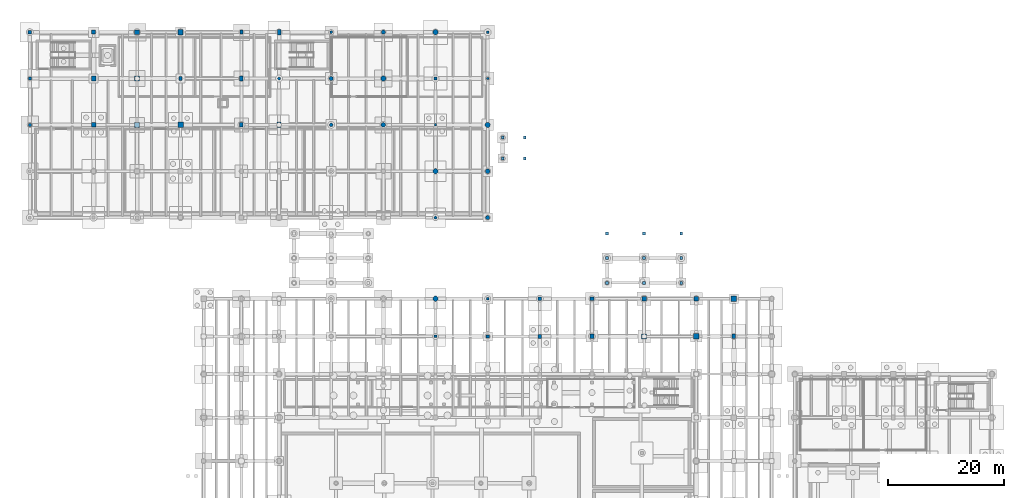
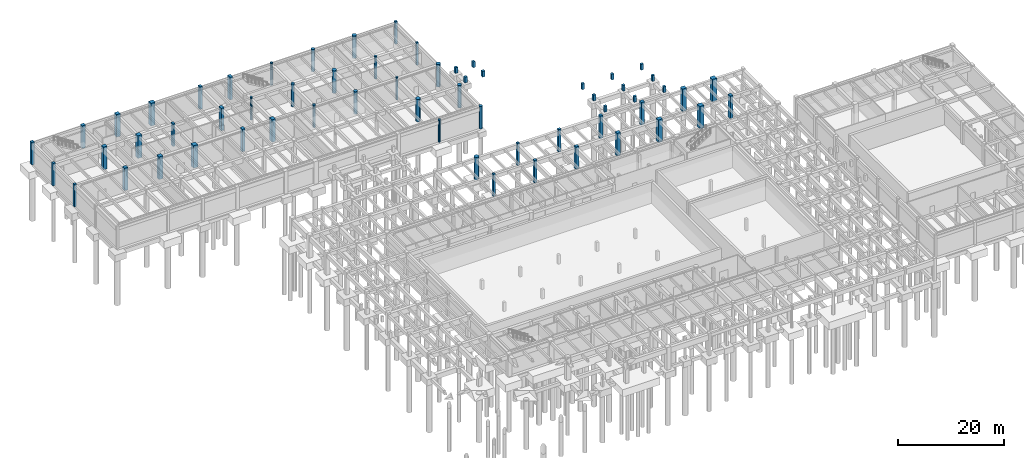
# One storey, part 18 of 36: 61 columns.
"""IFC4 building model written with IfcOpenShell, lengths in metres."""

from ifc_helpers import new_model, si_unit, direction, frame, origin, origin_2d, place, context, subcontext, project, spatial, rectangle, circle, extrude, material, material_profile, profile_set, type_object, element, save


model = new_model("IFC4")

# Units and contexts
model_context = context("Model", 3, precision=1e-05, world=origin(), true_north=direction((0.0, 1.0)))
body_context = subcontext(model_context, "Body", "Model", "MODEL_VIEW")
ifc_project = project(units=[si_unit("LENGTHUNIT", "METRE"), si_unit("AREAUNIT", "SQUARE_METRE"), si_unit("VOLUMEUNIT", "CUBIC_METRE"), si_unit("PLANEANGLEUNIT", "RADIAN"), si_unit("MASSUNIT", "GRAM", prefix="KILO"), si_unit("THERMODYNAMICTEMPERATUREUNIT", "KELVIN"), si_unit("POWERUNIT", "WATT")], contexts=[model_context])

# Site, building, storey
site_placement = place(None, origin())
site = spatial("IfcSite", under=ifc_project, at=site_placement, CompositionType="ELEMENT")
building_placement = place(site_placement, origin())
building = spatial("IfcBuilding", under=site, at=building_placement, Name="Tepalcoro Natatorium and Aquatics Centre", CompositionType="ELEMENT")
storey_placement = place(building_placement, frame((0.0, 0.0, -5.199951171875)))
storey = spatial("IfcBuildingStorey", under=building, at=storey_placement, Name="B1", CompositionType="ELEMENT", Elevation=-5.199951171875)

# Columns
ifc_material = material(Name="Concrete C40/50 (fc 40 MPa)", Category="concrete")
ifc_material_profile_1 = material_profile(ifc_material, rectangle(XDim=0.39990234375, YDim=0.39990234375, at=origin_2d()), Name="RC400x400")
ifc_profile_set_1 = profile_set([ifc_material_profile_1], Name="Concrete C40/50 (fc 40 MPa)")
column_type_1 = type_object("IfcColumnType", Name="COL_RC_400x400", PredefinedType="COLUMN", material=ifc_profile_set_1)
for number, where, z_axis, x_axis, name in (
    (1, (80.0, 102.0, 0.0), (0.0, 0.0, 1.0), (1.0, 0.0, 0.0), "V4 B1 Grid Column (80.0, 102.0)"),
    (2, (89.0, 110.0, 0.0), (0.0, 0.0, 1.0), (1.0, 0.0, 0.0), "V4 B1 Grid Column (89.0, 110.0)"),
):
    element("IfcColumn", number, at=place(storey_placement, frame(where, z_axis=z_axis, x_axis=x_axis)), inside=storey, type_object=column_type_1, Name=name, PredefinedType="COLUMN", context=body_context, shape_type="SweptSolid", body=[
        extrude(rectangle(XDim=0.39990234375, YDim=0.39990234375, at=origin_2d()), origin(), (0.0, 0.0, 1.0), 5.199951171875),
    ])
ifc_material_profile_2 = material_profile(ifc_material, rectangle(XDim=0.449951171875, YDim=0.449951171875, at=origin_2d()), Name="RC450x450")
ifc_profile_set_2 = profile_set([ifc_material_profile_2], Name="Concrete C40/50 (fc 40 MPa)")
column_type_2 = type_object("IfcColumnType", Name="COL_RC_450x450", PredefinedType="COLUMN", material=ifc_profile_set_2)
for number, where, z_axis, x_axis, name in (
    (3, (80.0, 65.5, 0.0), (0.0, 0.0, 1.0), (1.0, 0.0, 0.0), "V1 B1 Grid Column (80.0, 65.5)"),
    (4, (89.0, 72.0, 0.0), (0.0, 0.0, 1.0), (1.0, 0.0, 0.0), "V1 B1 Grid Column (89.0, 72.0)"),
    (5, (80.0, 110.0, 0.0), (0.0, 0.0, 1.0), (1.0, 0.0, 0.0), "V4 B1 Grid Column (80.0, 110.0)"),
    (6, (89.0, 118.0, 0.0), (0.0, 0.0, 1.0), (1.0, 0.0, 0.0), "V4 B1 Grid Column (89.0, 118.0)"),
):
    element("IfcColumn", number, at=place(storey_placement, frame(where, z_axis=z_axis, x_axis=x_axis)), inside=storey, type_object=column_type_2, Name=name, PredefinedType="COLUMN", context=body_context, shape_type="SweptSolid", body=[
        extrude(rectangle(XDim=0.449951171875, YDim=0.449951171875, at=origin_2d()), origin(), (0.0, 0.0, 1.0), 5.199951171875),
    ])
ifc_material_profile_3 = material_profile(ifc_material, rectangle(XDim=0.5, YDim=0.5, at=origin_2d()), Name="RC500x500")
ifc_profile_set_3 = profile_set([ifc_material_profile_3], Name="Concrete C40/50 (fc 40 MPa)")
column_type_3 = type_object("IfcColumnType", Name="COL_RC_500x500", PredefinedType="COLUMN", material=ifc_profile_set_3)
column_1_placement = place(storey_placement, frame((10.0, 102.0, 0.0), z_axis=(0.0, 0.0, 1.0), x_axis=(1.0, 0.0, 0.0)))
element("IfcColumn", 7, at=column_1_placement, inside=storey, type_object=column_type_3, Name="V4 B1 Grid Column (10.0, 102.0)", PredefinedType="COLUMN", context=body_context, shape_type="SweptSolid", body=[
    extrude(rectangle(XDim=0.5, YDim=0.5, at=origin_2d()), origin(), (0.0, 0.0, 1.0), 5.199951171875),
])
for number, where, z_axis, x_axis, name in (
    (8, (109.60009765625, 74.75, 3.449951171875), (0.0, 0.0, 1.0), (1.0, 0.0, 0.0), "East Court Wellness Arcade Foundation Pedestal Pier"),
    (9, (109.60009765625, 79.0, 3.449951171875), (0.0, 0.0, 1.0), (1.0, 0.0, 0.0), "East Court Wellness Arcade Foundation Pedestal Pier"),
    (10, (109.60009765625, 83.25, 3.449951171875), (0.0, 0.0, 1.0), (1.0, 0.0, 0.0), "East Court Wellness Arcade Foundation Pedestal Pier"),
    (11, (116.0, 74.75, 3.449951171875), (0.0, 0.0, 1.0), (1.0, 0.0, 0.0), "East Court Wellness Arcade Foundation Pedestal Pier"),
    (12, (116.0, 79.0, 3.449951171875), (0.0, 0.0, 1.0), (1.0, 0.0, 0.0), "East Court Wellness Arcade Foundation Pedestal Pier"),
    (13, (116.0, 83.25, 3.449951171875), (0.0, 0.0, 1.0), (1.0, 0.0, 0.0), "East Court Wellness Arcade Foundation Pedestal Pier"),
    (14, (122.39990234375, 74.75, 3.449951171875), (0.0, 0.0, 1.0), (1.0, 0.0, 0.0), "East Court Wellness Arcade Foundation Pedestal Pier"),
    (15, (122.39990234375, 79.0, 3.449951171875), (0.0, 0.0, 1.0), (1.0, 0.0, 0.0), "East Court Wellness Arcade Foundation Pedestal Pier"),
    (16, (122.39990234375, 83.25, 3.449951171875), (0.0, 0.0, 1.0), (1.0, 0.0, 0.0), "East Court Wellness Arcade Foundation Pedestal Pier"),
    (17, (91.60009765625, 96.199951171875, 3.449951171875), (0.0, 0.0, 1.0), (1.0, 0.0, 0.0), "North Spine Seismic Link Foundation Pedestal Pier"),
    (18, (91.60009765625, 99.800048828125, 3.449951171875), (0.0, 0.0, 1.0), (1.0, 0.0, 0.0), "North Spine Seismic Link Foundation Pedestal Pier"),
    (19, (95.39990234375, 96.199951171875, 3.449951171875), (0.0, 0.0, 1.0), (1.0, 0.0, 0.0), "North Spine Seismic Link Foundation Pedestal Pier"),
    (20, (95.39990234375, 99.800048828125, 3.449951171875), (0.0, 0.0, 1.0), (1.0, 0.0, 0.0), "North Spine Seismic Link Foundation Pedestal Pier"),
):
    element("IfcColumn", number, at=place(storey_placement, frame(where, z_axis=z_axis, x_axis=x_axis)), inside=storey, type_object=column_type_3, Name=name, PredefinedType="COLUMN", context=body_context, shape_type="SweptSolid", body=[
        extrude(rectangle(XDim=0.5, YDim=0.5, at=origin_2d()), origin(), (0.0, 0.0, 1.0), 1.330078125),
    ])
ifc_material_profile_4 = material_profile(ifc_material, rectangle(XDim=0.5, YDim=0.699951171875, at=origin_2d()), Name="RC500x700")
ifc_profile_set_4 = profile_set([ifc_material_profile_4], Name="Concrete C40/50 (fc 40 MPa)")
column_type_4 = type_object("IfcColumnType", Name="COL_RC_500x700", PredefinedType="COLUMN", material=ifc_profile_set_4)
for number, where, z_axis, x_axis, name in (
    (21, (36.0, 110.0, 0.0), (0.0, 0.0, 1.0), (1.0, 0.0, 0.0), "V4 B1 Grid Column (36.0, 110.0)"),
    (22, (46.5, 118.0, 0.0), (0.0, 0.0, 1.0), (1.0, 0.0, 0.0), "V4 B1 Grid Column (46.5, 118.0)"),
):
    element("IfcColumn", number, at=place(storey_placement, frame(where, z_axis=z_axis, x_axis=x_axis)), inside=storey, type_object=column_type_4, Name=name, PredefinedType="COLUMN", context=body_context, shape_type="SweptSolid", body=[
        extrude(rectangle(XDim=0.5, YDim=0.699951171875, at=origin_2d()), origin(), (0.0, 0.0, 1.0), 5.199951171875),
    ])
ifc_material_profile_5 = material_profile(ifc_material, rectangle(XDim=0.550048828125, YDim=0.550048828125, at=origin_2d()), Name="RC550x550")
ifc_profile_set_5 = profile_set([ifc_material_profile_5], Name="Concrete C40/50 (fc 40 MPa)")
column_type_5 = type_object("IfcColumnType", Name="COL_RC_550x550", PredefinedType="COLUMN", material=ifc_profile_set_5)
for number, where, z_axis, x_axis, name in (
    (23, (89.0, 65.5, 0.0), (0.0, 0.0, 1.0), (1.0, 0.0, 0.0), "V1 B1 Grid Column (89.0, 65.5)"),
    (24, (98.0, 72.0, 0.0), (0.0, 0.0, 1.0), (1.0, 0.0, 0.0), "V1 B1 Grid Column (98.0, 72.0)"),
    (25, (10.0, 110.0, 0.0), (0.0, 0.0, 1.0), (1.0, 0.0, 0.0), "V4 B1 Grid Column (10.0, 110.0)"),
):
    element("IfcColumn", number, at=place(storey_placement, frame(where, z_axis=z_axis, x_axis=x_axis)), inside=storey, type_object=column_type_5, Name=name, PredefinedType="COLUMN", context=body_context, shape_type="SweptSolid", body=[
        extrude(rectangle(XDim=0.550048828125, YDim=0.550048828125, at=origin_2d()), origin(), (0.0, 0.0, 1.0), 5.199951171875),
    ])
ifc_material_profile_6 = material_profile(ifc_material, rectangle(XDim=0.60009765625, YDim=0.60009765625, at=origin_2d()), Name="RC600x600")
ifc_profile_set_6 = profile_set([ifc_material_profile_6], Name="Concrete C40/50 (fc 40 MPa)")
column_type_6 = type_object("IfcColumnType", Name="COL_RC_600x600", PredefinedType="COLUMN", material=ifc_profile_set_6)
column_2_placement = place(storey_placement, frame((10.0, 118.0, 0.0), z_axis=(0.0, 0.0, 1.0), x_axis=(1.0, 0.0, 0.0)))
element("IfcColumn", 26, at=column_2_placement, inside=storey, type_object=column_type_6, Name="V4 B1 Grid Column (10.0, 118.0)", PredefinedType="COLUMN", context=body_context, shape_type="SweptSolid", body=[
    extrude(rectangle(XDim=0.60009765625, YDim=0.60009765625, at=origin_2d()), origin(), (0.0, 0.0, 1.0), 5.199951171875),
])
ifc_material_profile_7 = material_profile(ifc_material, rectangle(XDim=0.60009765625, YDim=0.800048828125, at=origin_2d()), Name="RC600x800")
ifc_profile_set_7 = profile_set([ifc_material_profile_7], Name="Concrete C40/50 (fc 40 MPa)")
column_type_7 = type_object("IfcColumnType", Name="COL_RC_600x800", PredefinedType="COLUMN", material=ifc_profile_set_7)
for number, where, z_axis, x_axis, name in (
    (27, (131.5, 65.5, 0.0), (0.0, 0.0, 1.0), (1.0, 0.0, 0.0), "V1 B1 Grid Column (131.5, 65.5)"),
    (28, (46.5, 102.0, 0.0), (0.0, 0.0, 1.0), (1.0, 0.0, 0.0), "V4 B1 Grid Column (46.5, 102.0)"),
):
    element("IfcColumn", number, at=place(storey_placement, frame(where, z_axis=z_axis, x_axis=x_axis)), inside=storey, type_object=column_type_7, Name=name, PredefinedType="COLUMN", context=body_context, shape_type="SweptSolid", body=[
        extrude(rectangle(XDim=0.60009765625, YDim=0.800048828125, at=origin_2d()), origin(), (0.0, 0.0, 1.0), 5.199951171875),
    ])
ifc_material_profile_8 = material_profile(ifc_material, rectangle(XDim=0.60009765625, YDim=0.89990234375, at=origin_2d()), Name="RC600x900")
ifc_profile_set_8 = profile_set([ifc_material_profile_8], Name="Concrete C40/50 (fc 40 MPa)")
column_type_8 = type_object("IfcColumnType", Name="COL_RC_600x900", PredefinedType="COLUMN", material=ifc_profile_set_8)
for number, where, z_axis, x_axis, name in (
    (29, (46.5, 110.0, 0.0), (0.0, 0.0, 1.0), (1.0, 0.0, 0.0), "V4 B1 Grid Column (46.5, 110.0)"),
    (30, (53.0, 118.0, 0.0), (0.0, 0.0, 1.0), (1.0, 0.0, 0.0), "V4 B1 Grid Column (53.0, 118.0)"),
):
    element("IfcColumn", number, at=place(storey_placement, frame(where, z_axis=z_axis, x_axis=x_axis)), inside=storey, type_object=column_type_8, Name=name, PredefinedType="COLUMN", context=body_context, shape_type="SweptSolid", body=[
        extrude(rectangle(XDim=0.60009765625, YDim=0.89990234375, at=origin_2d()), origin(), (0.0, 0.0, 1.0), 5.199951171875),
    ])
ifc_material_profile_9 = material_profile(ifc_material, rectangle(XDim=0.64990234375, YDim=0.64990234375, at=origin_2d()), Name="RC650x650")
ifc_profile_set_9 = profile_set([ifc_material_profile_9], Name="Concrete C40/50 (fc 40 MPa)")
column_type_9 = type_object("IfcColumnType", Name="COL_RC_650x650", PredefinedType="COLUMN", material=ifc_profile_set_9)
for number, where, z_axis, x_axis, name in (
    (31, (98.0, 65.5, 0.0), (0.0, 0.0, 1.0), (1.0, 0.0, 0.0), "V1 B1 Grid Column (98.0, 65.5)"),
    (32, (107.0, 72.0, 0.0), (0.0, 0.0, 1.0), (1.0, 0.0, 0.0), "V1 B1 Grid Column (107.0, 72.0)"),
):
    element("IfcColumn", number, at=place(storey_placement, frame(where, z_axis=z_axis, x_axis=x_axis)), inside=storey, type_object=column_type_9, Name=name, PredefinedType="COLUMN", context=body_context, shape_type="SweptSolid", body=[
        extrude(rectangle(XDim=0.64990234375, YDim=0.64990234375, at=origin_2d()), origin(), (0.0, 0.0, 1.0), 5.199951171875),
    ])
ifc_material_profile_10 = material_profile(ifc_material, rectangle(XDim=0.699951171875, YDim=0.699951171875, at=origin_2d()), Name="RC700x700")
ifc_profile_set_10 = profile_set([ifc_material_profile_10], Name="Concrete C40/50 (fc 40 MPa)")
column_type_10 = type_object("IfcColumnType", Name="COL_RC_700x700", PredefinedType="COLUMN", material=ifc_profile_set_10)
column_3_placement = place(storey_placement, frame((21.0, 118.0, 0.0), z_axis=(0.0, 0.0, 1.0), x_axis=(1.0, 0.0, 0.0)))
element("IfcColumn", 33, at=column_3_placement, inside=storey, type_object=column_type_10, Name="V4 B1 Grid Column (21.0, 118.0)", PredefinedType="COLUMN", context=body_context, shape_type="SweptSolid", body=[
    extrude(rectangle(XDim=0.699951171875, YDim=0.699951171875, at=origin_2d()), origin(), (0.0, 0.0, 1.0), 5.199951171875),
])
ifc_material_profile_11 = material_profile(ifc_material, rectangle(XDim=0.699951171875, YDim=0.949951171875, at=origin_2d()), Name="RC700x950")
ifc_profile_set_11 = profile_set([ifc_material_profile_11], Name="Concrete C40/50 (fc 40 MPa)")
column_type_11 = type_object("IfcColumnType", Name="COL_RC_700x950", PredefinedType="COLUMN", material=ifc_profile_set_11)
column_4_placement = place(storey_placement, frame((53.0, 102.0, 0.0), z_axis=(0.0, 0.0, 1.0), x_axis=(1.0, 0.0, 0.0)))
element("IfcColumn", 34, at=column_4_placement, inside=storey, type_object=column_type_11, Name="V4 B1 Grid Column (53.0, 102.0)", PredefinedType="COLUMN", context=body_context, shape_type="SweptSolid", body=[
    extrude(rectangle(XDim=0.699951171875, YDim=0.949951171875, at=origin_2d()), origin(), (0.0, 0.0, 1.0), 5.199951171875),
])
ifc_material_profile_12 = material_profile(ifc_material, rectangle(XDim=0.75, YDim=0.75, at=origin_2d()), Name="RC750x750")
ifc_profile_set_12 = profile_set([ifc_material_profile_12], Name="Concrete C40/50 (fc 40 MPa)")
column_type_12 = type_object("IfcColumnType", Name="COL_RC_750x750", PredefinedType="COLUMN", material=ifc_profile_set_12)
for number, where, z_axis, x_axis, name in (
    (35, (107.0, 65.5, 0.0), (0.0, 0.0, 1.0), (1.0, 0.0, 0.0), "V1 B1 Grid Column (107.0, 65.5)"),
    (36, (116.0, 72.0, 0.0), (0.0, 0.0, 1.0), (1.0, 0.0, 0.0), "V1 B1 Grid Column (116.0, 72.0)"),
    (37, (21.0, 102.0, 0.0), (0.0, 0.0, 1.0), (1.0, 0.0, 0.0), "V4 B1 Grid Column (21.0, 102.0)"),
):
    element("IfcColumn", number, at=place(storey_placement, frame(where, z_axis=z_axis, x_axis=x_axis)), inside=storey, type_object=column_type_12, Name=name, PredefinedType="COLUMN", context=body_context, shape_type="SweptSolid", body=[
        extrude(rectangle(XDim=0.75, YDim=0.75, at=origin_2d()), origin(), (0.0, 0.0, 1.0), 5.199951171875),
    ])
ifc_material_profile_13 = material_profile(ifc_material, rectangle(XDim=0.800048828125, YDim=0.800048828125, at=origin_2d()), Name="RC800x800")
ifc_profile_set_13 = profile_set([ifc_material_profile_13], Name="Concrete C40/50 (fc 40 MPa)")
column_type_13 = type_object("IfcColumnType", Name="COL_RC_800x800", PredefinedType="COLUMN", material=ifc_profile_set_13)
for number, where, z_axis, x_axis, name in (
    (38, (21.0, 110.0, 0.0), (0.0, 0.0, 1.0), (1.0, 0.0, 0.0), "V4 B1 Grid Column (21.0, 110.0)"),
    (39, (28.5, 118.0, 0.0), (0.0, 0.0, 1.0), (1.0, 0.0, 0.0), "V4 B1 Grid Column (28.5, 118.0)"),
):
    element("IfcColumn", number, at=place(storey_placement, frame(where, z_axis=z_axis, x_axis=x_axis)), inside=storey, type_object=column_type_13, Name=name, PredefinedType="COLUMN", context=body_context, shape_type="SweptSolid", body=[
        extrude(rectangle(XDim=0.800048828125, YDim=0.800048828125, at=origin_2d()), origin(), (0.0, 0.0, 1.0), 5.199951171875),
    ])
ifc_material_profile_14 = material_profile(ifc_material, rectangle(XDim=0.85009765625, YDim=0.85009765625, at=origin_2d()), Name="RC850x850")
ifc_profile_set_14 = profile_set([ifc_material_profile_14], Name="Concrete C40/50 (fc 40 MPa)")
column_type_14 = type_object("IfcColumnType", Name="COL_RC_850x850", PredefinedType="COLUMN", material=ifc_profile_set_14)
for number, where, z_axis, x_axis, name in (
    (40, (116.0, 65.5, 0.0), (0.0, 0.0, 1.0), (1.0, 0.0, 0.0), "V1 B1 Grid Column (116.0, 65.5)"),
    (41, (125.0, 72.0, 0.0), (0.0, 0.0, 1.0), (1.0, 0.0, 0.0), "V1 B1 Grid Column (125.0, 72.0)"),
    (42, (28.5, 102.0, 0.0), (0.0, 0.0, 1.0), (1.0, 0.0, 0.0), "V4 B1 Grid Column (28.5, 102.0)"),
):
    element("IfcColumn", number, at=place(storey_placement, frame(where, z_axis=z_axis, x_axis=x_axis)), inside=storey, type_object=column_type_14, Name=name, PredefinedType="COLUMN", context=body_context, shape_type="SweptSolid", body=[
        extrude(rectangle(XDim=0.85009765625, YDim=0.85009765625, at=origin_2d()), origin(), (0.0, 0.0, 1.0), 5.199951171875),
    ])
ifc_material_profile_15 = material_profile(ifc_material, rectangle(XDim=0.89990234375, YDim=0.89990234375, at=origin_2d()), Name="RC900x900")
ifc_profile_set_15 = profile_set([ifc_material_profile_15], Name="Concrete C40/50 (fc 40 MPa)")
column_type_15 = type_object("IfcColumnType", Name="COL_RC_900x900", PredefinedType="COLUMN", material=ifc_profile_set_15)
for number, where, z_axis, x_axis, name in (
    (43, (28.5, 110.0, 0.0), (0.0, 0.0, 1.0), (1.0, 0.0, 0.0), "V4 B1 Grid Column (28.5, 110.0)"),
    (44, (36.0, 118.0, 0.0), (0.0, 0.0, 1.0), (1.0, 0.0, 0.0), "V4 B1 Grid Column (36.0, 118.0)"),
):
    element("IfcColumn", number, at=place(storey_placement, frame(where, z_axis=z_axis, x_axis=x_axis)), inside=storey, type_object=column_type_15, Name=name, PredefinedType="COLUMN", context=body_context, shape_type="SweptSolid", body=[
        extrude(rectangle(XDim=0.89990234375, YDim=0.89990234375, at=origin_2d()), origin(), (0.0, 0.0, 1.0), 5.199951171875),
    ])
ifc_material_profile_16 = material_profile(ifc_material, rectangle(XDim=0.949951171875, YDim=0.949951171875, at=origin_2d()), Name="RC950x950")
ifc_profile_set_16 = profile_set([ifc_material_profile_16], Name="Concrete C40/50 (fc 40 MPa)")
column_type_16 = type_object("IfcColumnType", Name="COL_RC_950x950", PredefinedType="COLUMN", material=ifc_profile_set_16)
for number, where, z_axis, x_axis, name in (
    (45, (125.0, 65.5, 0.0), (0.0, 0.0, 1.0), (1.0, 0.0, 0.0), "V1 B1 Grid Column (125.0, 65.5)"),
    (46, (131.5, 72.0, 0.0), (0.0, 0.0, 1.0), (1.0, 0.0, 0.0), "V1 B1 Grid Column (131.5, 72.0)"),
    (47, (36.0, 102.0, 0.0), (0.0, 0.0, 1.0), (1.0, 0.0, 0.0), "V4 B1 Grid Column (36.0, 102.0)"),
):
    element("IfcColumn", number, at=place(storey_placement, frame(where, z_axis=z_axis, x_axis=x_axis)), inside=storey, type_object=column_type_16, Name=name, PredefinedType="COLUMN", context=body_context, shape_type="SweptSolid", body=[
        extrude(rectangle(XDim=0.949951171875, YDim=0.949951171875, at=origin_2d()), origin(), (0.0, 0.0, 1.0), 5.199951171875),
    ])
ifc_material_profile_17 = material_profile(ifc_material, circle(Radius=0.25, at=origin_2d()), Name="RCD500")
ifc_profile_set_17 = profile_set([ifc_material_profile_17], Name="Concrete C40/50 (fc 40 MPa)")
column_type_17 = type_object("IfcColumnType", Name="COL_RC_D500", PredefinedType="COLUMN", material=ifc_profile_set_17)
for number, where, z_axis, x_axis, name in (
    (48, (53.0, 110.0, 0.0), (0.0, 0.0, 1.0), (1.0, 0.0, 0.0), "V4 B1 Grid Column (53.0, 110.0)"),
    (49, (62.0, 118.0, 0.0), (0.0, 0.0, 1.0), (1.0, 0.0, 0.0), "V4 B1 Grid Column (62.0, 118.0)"),
    (50, (80.0, 86.0, 0.0), (0.0, 0.0, 1.0), (1.0, 0.0, 0.0), "V4 B1 Grid Column (80.0, 86.0)"),
):
    element("IfcColumn", number, at=place(storey_placement, frame(where, z_axis=z_axis, x_axis=x_axis)), inside=storey, type_object=column_type_17, Name=name, PredefinedType="COLUMN", context=body_context, shape_type="SweptSolid", body=[
        extrude(circle(Radius=0.25, at=origin_2d()), origin(), (0.0, 0.0, 1.0), 5.199951171875),
    ])
ifc_material_profile_18 = material_profile(ifc_material, circle(Radius=0.300048828125, at=origin_2d()), Name="RCD600")
ifc_profile_set_18 = profile_set([ifc_material_profile_18], Name="Concrete C40/50 (fc 40 MPa)")
column_type_18 = type_object("IfcColumnType", Name="COL_RC_D600", PredefinedType="COLUMN", material=ifc_profile_set_18)
column_5_placement = place(storey_placement, frame((62.0, 102.0, 0.0), z_axis=(0.0, 0.0, 1.0), x_axis=(1.0, 0.0, 0.0)))
element("IfcColumn", 51, at=column_5_placement, inside=storey, type_object=column_type_18, Name="V4 B1 Grid Column (62.0, 102.0)", PredefinedType="COLUMN", context=body_context, shape_type="SweptSolid", body=[
    extrude(circle(Radius=0.300048828125, at=origin_2d()), origin(), (0.0, 0.0, 1.0), 5.199951171875),
])
ifc_material_profile_19 = material_profile(ifc_material, circle(Radius=0.35009765625, at=origin_2d()), Name="RCD700")
ifc_profile_set_19 = profile_set([ifc_material_profile_19], Name="Concrete C40/50 (fc 40 MPa)")
column_type_19 = type_object("IfcColumnType", Name="COL_RC_D700", PredefinedType="COLUMN", material=ifc_profile_set_19)
for number, where, z_axis, x_axis, name in (
    (52, (62.0, 110.0, 0.0), (0.0, 0.0, 1.0), (1.0, 0.0, 0.0), "V4 B1 Grid Column (62.0, 110.0)"),
    (53, (71.0, 118.0, 0.0), (0.0, 0.0, 1.0), (1.0, 0.0, 0.0), "V4 B1 Grid Column (71.0, 118.0)"),
    (54, (89.0, 86.0, 0.0), (0.0, 0.0, 1.0), (1.0, 0.0, 0.0), "V4 B1 Grid Column (89.0, 86.0)"),
):
    element("IfcColumn", number, at=place(storey_placement, frame(where, z_axis=z_axis, x_axis=x_axis)), inside=storey, type_object=column_type_19, Name=name, PredefinedType="COLUMN", context=body_context, shape_type="SweptSolid", body=[
        extrude(circle(Radius=0.35009765625, at=origin_2d()), origin(), (0.0, 0.0, 1.0), 5.199951171875),
    ])
ifc_material_profile_20 = material_profile(ifc_material, circle(Radius=0.39990234375, at=origin_2d()), Name="RCD800")
ifc_profile_set_20 = profile_set([ifc_material_profile_20], Name="Concrete C40/50 (fc 40 MPa)")
column_type_20 = type_object("IfcColumnType", Name="COL_RC_D800", PredefinedType="COLUMN", material=ifc_profile_set_20)
for number, where, z_axis, x_axis, name in (
    (55, (71.0, 102.0, 0.0), (0.0, 0.0, 1.0), (1.0, 0.0, 0.0), "V4 B1 Grid Column (71.0, 102.0)"),
    (56, (89.0, 94.0, 0.0), (0.0, 0.0, 1.0), (1.0, 0.0, 0.0), "V4 B1 Grid Column (89.0, 94.0)"),
):
    element("IfcColumn", number, at=place(storey_placement, frame(where, z_axis=z_axis, x_axis=x_axis)), inside=storey, type_object=column_type_20, Name=name, PredefinedType="COLUMN", context=body_context, shape_type="SweptSolid", body=[
        extrude(circle(Radius=0.39990234375, at=origin_2d()), origin(), (0.0, 0.0, 1.0), 5.199951171875),
    ])
ifc_material_profile_21 = material_profile(ifc_material, circle(Radius=0.449951171875, at=origin_2d()), Name="RCD900")
ifc_profile_set_21 = profile_set([ifc_material_profile_21], Name="Concrete C40/50 (fc 40 MPa)")
column_type_21 = type_object("IfcColumnType", Name="COL_RC_D900", PredefinedType="COLUMN", material=ifc_profile_set_21)
for number, where, z_axis, x_axis, name in (
    (57, (80.0, 72.0, 0.0), (0.0, 0.0, 1.0), (1.0, 0.0, 0.0), "V1 B1 Grid Column (80.0, 72.0)"),
    (58, (71.0, 110.0, 0.0), (0.0, 0.0, 1.0), (1.0, 0.0, 0.0), "V4 B1 Grid Column (71.0, 110.0)"),
    (59, (80.0, 94.0, 0.0), (0.0, 0.0, 1.0), (1.0, 0.0, 0.0), "V4 B1 Grid Column (80.0, 94.0)"),
    (60, (80.0, 118.0, 0.0), (0.0, 0.0, 1.0), (1.0, 0.0, 0.0), "V4 B1 Grid Column (80.0, 118.0)"),
    (61, (89.0, 102.0, 0.0), (0.0, 0.0, 1.0), (1.0, 0.0, 0.0), "V4 B1 Grid Column (89.0, 102.0)"),
):
    element("IfcColumn", number, at=place(storey_placement, frame(where, z_axis=z_axis, x_axis=x_axis)), inside=storey, type_object=column_type_21, Name=name, PredefinedType="COLUMN", context=body_context, shape_type="SweptSolid", body=[
        extrude(circle(Radius=0.449951171875, at=origin_2d()), origin(), (0.0, 0.0, 1.0), 5.199951171875),
    ])

save(model, "model.ifc")
